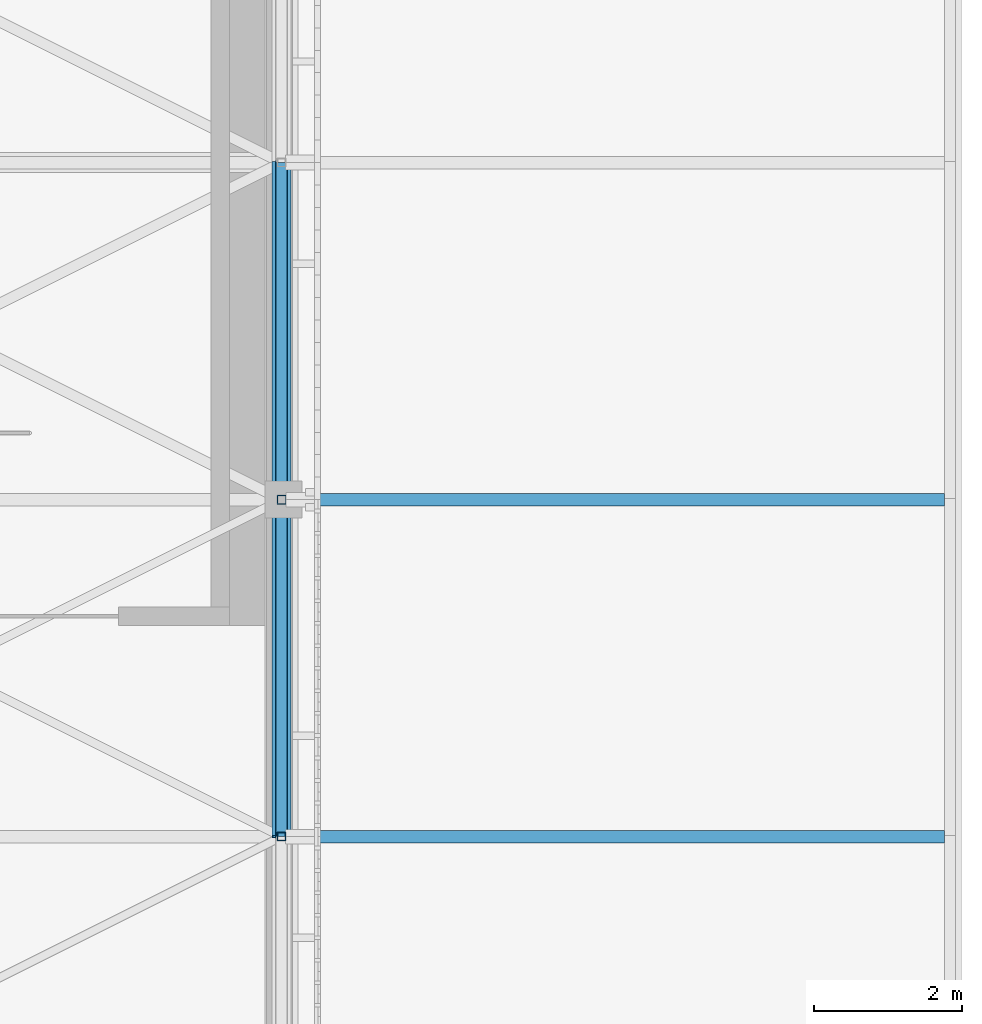
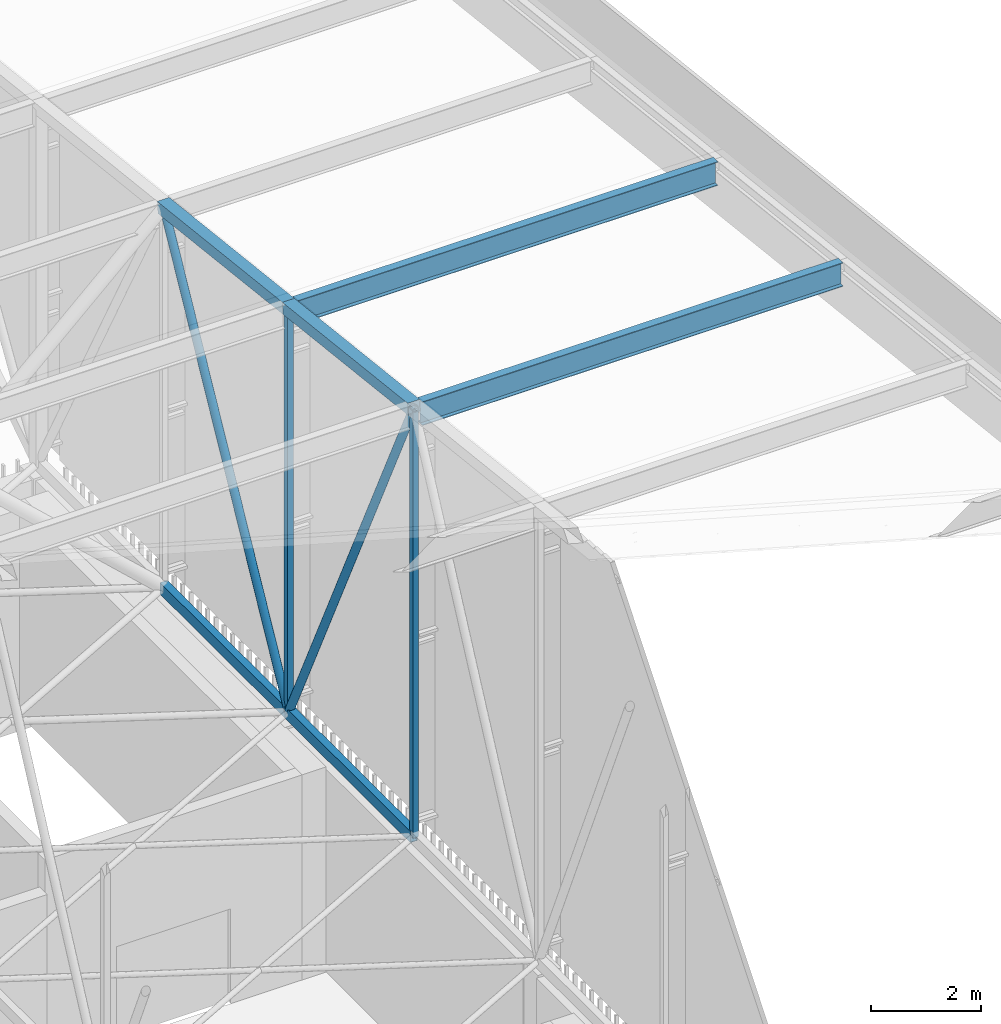
# One storey, part 400 of 500: 10 members.
"""IFC4 building model written with IfcOpenShell, lengths in metres."""

from ifc_helpers import new_model, si_unit, direction, frame, origin, origin_2d, place, context, subcontext, project, spatial, hollow_rectangle, hollow_circle, i_section, extrude, material, material_profile, profile_set, type_object, element, save


model = new_model("IFC4")

# Units and contexts
model_context = context("Model", 3, precision=1e-05, world=origin(), true_north=direction((0.0, 1.0)))
body_context = subcontext(model_context, "Body", "Model", "MODEL_VIEW")
ifc_project = project(units=[si_unit("LENGTHUNIT", "METRE"), si_unit("AREAUNIT", "SQUARE_METRE"), si_unit("VOLUMEUNIT", "CUBIC_METRE"), si_unit("PLANEANGLEUNIT", "RADIAN"), si_unit("MASSUNIT", "GRAM", prefix="KILO")], contexts=[model_context])

# Site, building, storey
site_placement = place(None, origin())
site = spatial("IfcSite", under=ifc_project, at=site_placement, CompositionType="ELEMENT")
building_placement = place(site_placement, origin())
building = spatial("IfcBuilding", under=site, at=building_placement, Name="Shirokan Park Arena", CompositionType="ELEMENT")
storey_placement = place(building_placement, frame((0.0, 0.0, 29.1201171875)))
storey = spatial("IfcBuildingStorey", under=building, at=storey_placement, Name="L06", CompositionType="ELEMENT", Elevation=29.1201171875)

# Members
ifc_material_1 = material(Name="Steel ASTM A500 Grade C", Category="steel")
ifc_material_profile_1 = material_profile(ifc_material_1, hollow_rectangle(XDim=0.152099609375, YDim=0.25390625, WallThickness=0.009521484375, at=origin_2d()), Name="HSS254X152.4X9.5")
ifc_profile_set_1 = profile_set([ifc_material_profile_1], Name="Steel ASTM A500 Grade C")
member_type_1 = type_object("IfcMemberType", Name="Bottom chord HSS254X152.4X9.5", PredefinedType="CHORD", material=ifc_profile_set_1)
member_1_placement = place(storey_placement, frame((145.60009765625, 95.550048828125, 4.677001953125), z_axis=(0.0, 1.0, 0.0), x_axis=(-1.0, 0.0, 0.0)))
element("IfcMember", 1, at=member_1_placement, inside=storey, type_object=member_type_1, Name="Truss T17 bottom chord 24", PredefinedType="CHORD", context=body_context, shape_type="SweptSolid", body=[
    extrude(hollow_rectangle(XDim=0.152099609375, YDim=0.25390625, WallThickness=0.009521484375, at=origin_2d()), origin(), (0.0, 0.0, 1.0), 4.550048828125),
])
member_2_placement = place(storey_placement, frame((145.60009765625, 100.10009765625, 4.677001953125), z_axis=(0.0, 1.0, 0.0), x_axis=(-1.0, 0.0, 0.0)))
element("IfcMember", 2, at=member_2_placement, inside=storey, type_object=member_type_1, Name="Truss T17 bottom chord 25", PredefinedType="CHORD", context=body_context, shape_type="SweptSolid", body=[
    extrude(hollow_rectangle(XDim=0.152099609375, YDim=0.25390625, WallThickness=0.009521484375, at=origin_2d()), origin(), (0.0, 0.0, 1.0), 4.5498046875),
])
ifc_material_2 = material(Name="Steel ASTM A992", Category="steel")
ifc_material_profile_2 = material_profile(ifc_material_2, i_section(OverallWidth=0.166015625, OverallDepth=0.528076171875, WebThickness=0.009765625, FlangeThickness=0.013671875, at=origin_2d()), Name="W530X74")
ifc_profile_set_2 = profile_set([ifc_material_profile_2], Name="Steel ASTM A992")
member_type_2 = type_object("IfcMemberType", Name="Purlin W530X74", PredefinedType="PURLIN", material=ifc_profile_set_2)
for number, where, z_axis, x_axis, name in (
    (3, (145.72705078125, 95.550048828125, 14.0458984375), (1.0, 0.0, 0.0), (0.0, 1.0, 0.0), "Eave purlin east 24"),
    (4, (145.72705078125, 100.10009765625, 13.52587890625), (1.0, 0.0, 0.0), (0.0, 1.0, 0.0), "Eave purlin east 25"),
):
    element("IfcMember", number, at=place(storey_placement, frame(where, z_axis=z_axis, x_axis=x_axis)), inside=storey, type_object=member_type_2, Name=name, PredefinedType="PURLIN", context=body_context, shape_type="SweptSolid", body=[
        extrude(i_section(OverallWidth=0.166015625, OverallDepth=0.528076171875, WebThickness=0.009765625, FlangeThickness=0.013671875, at=origin_2d()), origin(), (0.0, 0.0, 1.0), 8.824951171875),
    ])
ifc_material_profile_3 = material_profile(ifc_material_1, hollow_rectangle(XDim=0.25390625, YDim=0.25390625, WallThickness=0.009521484375, at=origin_2d()), Name="HSS254X254X9.5")
ifc_profile_set_3 = profile_set([ifc_material_profile_3], Name="Steel ASTM A500 Grade C")
member_type_3 = type_object("IfcMemberType", Name="Top chord HSS254X254X9.5", PredefinedType="CHORD", material=ifc_profile_set_3)
member_3_placement = place(storey_placement, frame((145.60009765625, 95.550048828125, 14.182861328125), z_axis=(0.0, 0.993532328996, -0.113549598152), x_axis=(-1.0, 0.0, 0.0)))
element("IfcMember", 5, at=member_3_placement, inside=storey, type_object=member_type_3, Name="Truss T17 top chord 24", PredefinedType="CHORD", context=body_context, shape_type="SweptSolid", body=[
    extrude(hollow_rectangle(XDim=0.25390625, YDim=0.25390625, WallThickness=0.009521484375, at=origin_2d()), origin(), (0.0, 0.0, 1.0), 4.57958984375),
])
member_4_placement = place(storey_placement, frame((145.60009765625, 100.10009765625, 13.662841796875), z_axis=(0.0, 0.993531641592, -0.11355561261), x_axis=(-1.0, 0.0, 0.0)))
element("IfcMember", 6, at=member_4_placement, inside=storey, type_object=member_type_3, Name="Truss T17 top chord 25", PredefinedType="CHORD", context=body_context, shape_type="SweptSolid", body=[
    extrude(hollow_rectangle(XDim=0.25390625, YDim=0.25390625, WallThickness=0.009521484375, at=origin_2d()), origin(), (0.0, 0.0, 1.0), 4.579345703125),
])
ifc_material_profile_4 = material_profile(ifc_material_1, hollow_circle(Radius=0.083984375, WallThickness=0.009521484375, at=origin_2d()), Name="HSS168.3X9.5")
ifc_profile_set_4 = profile_set([ifc_material_profile_4], Name="Steel ASTM A500 Grade C")
member_type_4 = type_object("IfcMemberType", Name="Truss diagonal HSS168.3X9.5", PredefinedType="BRACE", material=ifc_profile_set_4)
member_5_placement = place(storey_placement, frame((145.60009765625, 95.550048828125, 14.182861328125), z_axis=(0.0, 0.431746476626, -0.901994999942), x_axis=(-1.0, 0.0, 0.0)))
element("IfcMember", 7, at=member_5_placement, inside=storey, type_object=member_type_4, Name="Truss T17 diagonal 24", PredefinedType="BRACE", context=body_context, shape_type="SweptSolid", body=[
    extrude(hollow_circle(Radius=0.083984375, WallThickness=0.009521484375, at=origin_2d()), origin(), (0.0, 0.0, 1.0), 10.538818359375),
])
member_6_placement = place(storey_placement, frame((145.60009765625, 100.10009765625, 4.677001953125), z_axis=(0.0, 0.47339679801, 0.880849289966), x_axis=(-1.0, 0.0, 0.0)))
element("IfcMember", 8, at=member_6_placement, inside=storey, type_object=member_type_4, Name="Truss T17 diagonal 25", PredefinedType="BRACE", context=body_context, shape_type="SweptSolid", body=[
    extrude(hollow_circle(Radius=0.083984375, WallThickness=0.009521484375, at=origin_2d()), origin(), (0.0, 0.0, 1.0), 9.611083984375),
])
ifc_material_profile_5 = material_profile(ifc_material_1, hollow_rectangle(XDim=0.114013671875, YDim=0.114013671875, WallThickness=0.00634765625, at=origin_2d()), Name="HSS114.3X114.3X6.4")
ifc_profile_set_5 = profile_set([ifc_material_profile_5], Name="Steel ASTM A500 Grade C")
member_type_5 = type_object("IfcMemberType", Name="Truss post HSS114.3X114.3X6.4", PredefinedType="POST", material=ifc_profile_set_5)
member_7_placement = place(storey_placement, frame((145.60009765625, 95.550048828125, 4.677001953125), z_axis=(0.0, 0.0, 1.0), x_axis=(1.0, 0.0, 0.0)))
element("IfcMember", 9, at=member_7_placement, inside=storey, type_object=member_type_5, Name="Truss T17 post 24", PredefinedType="POST", context=body_context, shape_type="SweptSolid", body=[
    extrude(hollow_rectangle(XDim=0.114013671875, YDim=0.114013671875, WallThickness=0.00634765625, at=origin_2d()), origin(), (0.0, 0.0, 1.0), 9.505859375),
])
ifc_material_profile_6 = material_profile(ifc_material_1, hollow_rectangle(XDim=0.126953125, YDim=0.126953125, WallThickness=0.0126953125, at=origin_2d()), Name="HSS127X127X12.7")
ifc_profile_set_6 = profile_set([ifc_material_profile_6], Name="Steel ASTM A500 Grade C")
member_type_6 = type_object("IfcMemberType", Name="Truss post HSS127X127X12.7", PredefinedType="POST", material=ifc_profile_set_6)
member_8_placement = place(storey_placement, frame((145.60009765625, 100.10009765625, 4.677001953125), z_axis=(0.0, 0.0, 1.0), x_axis=(1.0, 0.0, 0.0)))
element("IfcMember", 10, at=member_8_placement, inside=storey, type_object=member_type_6, Name="Truss T17 post 25", PredefinedType="POST", context=body_context, shape_type="SweptSolid", body=[
    extrude(hollow_rectangle(XDim=0.126953125, YDim=0.126953125, WallThickness=0.0126953125, at=origin_2d()), origin(), (0.0, 0.0, 1.0), 8.98583984375),
])

save(model, "model.ifc")
